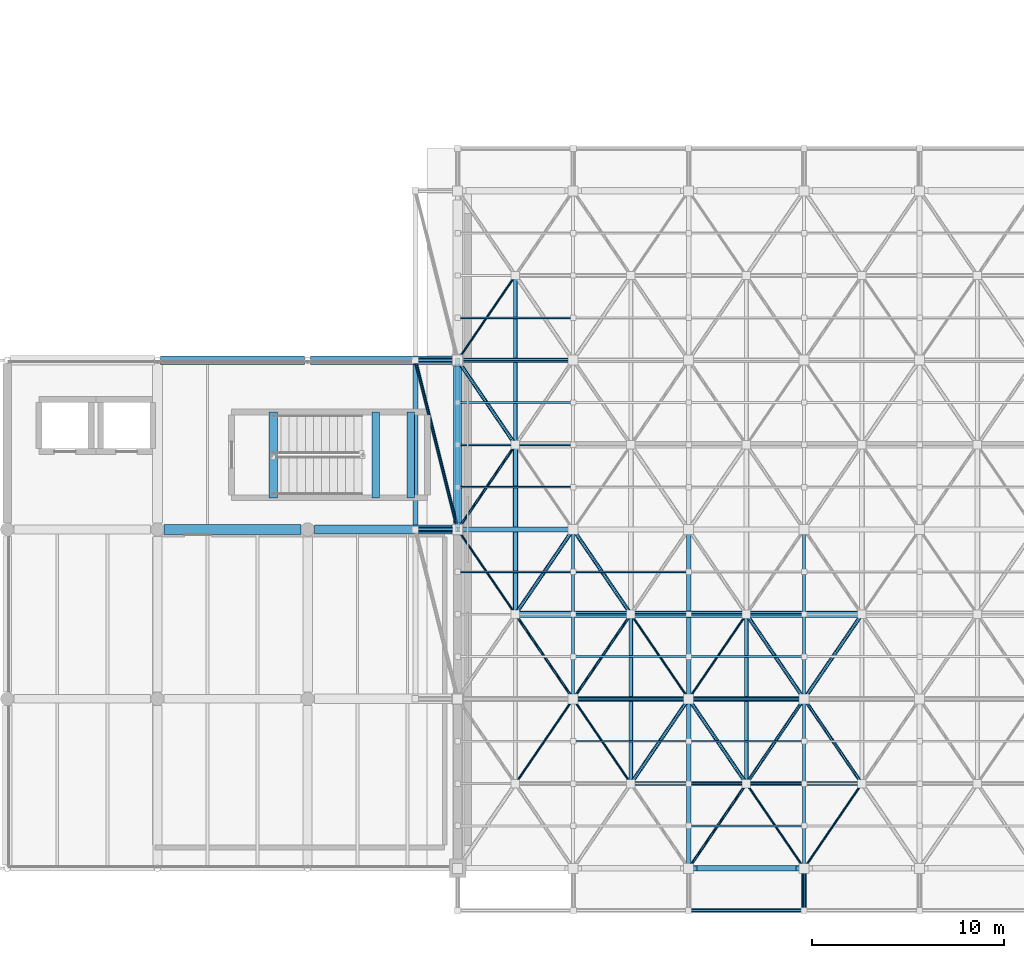
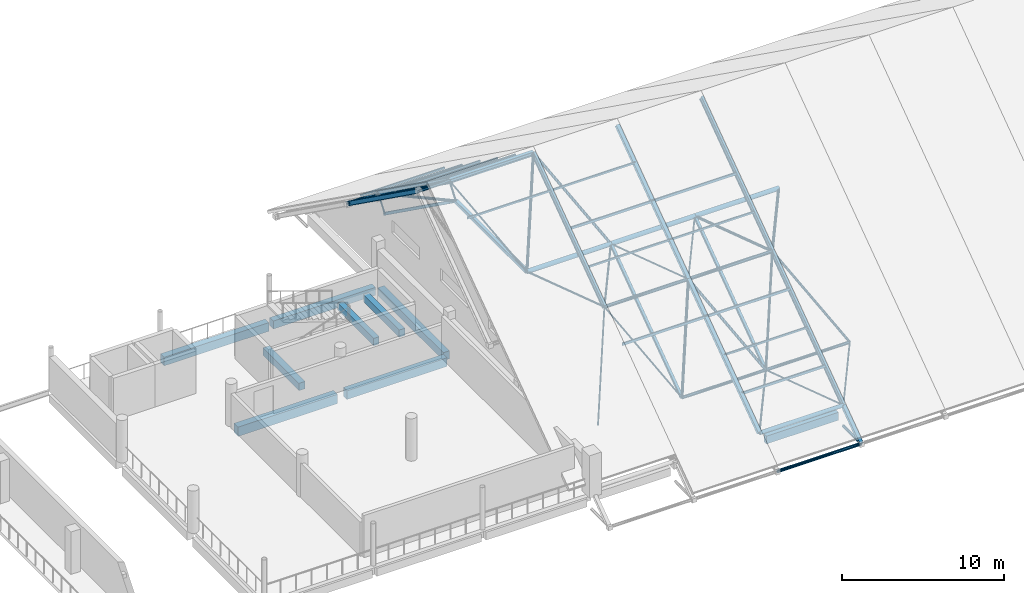
# One storey, part 19 of 55: 62 members, 9 beams.
"""IFC4 building model written with IfcOpenShell, lengths in metres."""

from ifc_helpers import new_model, si_unit, direction, frame, origin, origin_2d, place, context, subcontext, project, spatial, rectangle, hollow_rectangle, hollow_circle, i_section, extrude, material, material_profile, profile_set, type_object, element, save


model = new_model("IFC4")

# Units and contexts
model_context = context("Model", 3, precision=1e-05, world=origin(), true_north=direction((0.0, 1.0)))
body_context = subcontext(model_context, "Body", "Model", "MODEL_VIEW")
ifc_project = project(units=[si_unit("LENGTHUNIT", "METRE"), si_unit("AREAUNIT", "SQUARE_METRE"), si_unit("VOLUMEUNIT", "CUBIC_METRE"), si_unit("PLANEANGLEUNIT", "RADIAN"), si_unit("MASSUNIT", "GRAM", prefix="KILO")], contexts=[model_context])

# Site, building, storey
site_placement = place(None, origin())
site = spatial("IfcSite", under=ifc_project, at=site_placement, CompositionType="ELEMENT")
building_placement = place(site_placement, origin())
building = spatial("IfcBuilding", under=site, at=building_placement, Name="Varnakota Cinema and Media Centre", CompositionType="ELEMENT")
storey_placement = place(building_placement, frame((0.0, 0.0, 15.60009765625)))
storey = spatial("IfcBuildingStorey", under=building, at=storey_placement, Name="L04", CompositionType="ELEMENT", Elevation=15.60009765625)

# Beams
ifc_material_1 = material(Name="Concrete M35", Category="concrete")
ifc_material_profile_1 = material_profile(ifc_material_1, rectangle(XDim=0.39990234375, YDim=0.550048828125, at=origin_2d()), Name="RCB 400x550")
ifc_profile_set_1 = profile_set([ifc_material_profile_1], Name="Concrete M35")
beam_type_1 = type_object("IfcBeamType", Name="BM-RC-400x550", PredefinedType="BEAM", material=ifc_profile_set_1)
for number, where, z_axis, x_axis, name in (
    (1, (70.7373046875, 19.25, 1.25), (0.0, 1.0, 0.0), (-1.0, 0.0, 0.0), "L04 ST-04 landing support beam 1"),
    (2, (72.562744140625, 19.25, 1.25), (0.0, 1.0, 0.0), (-1.0, 0.0, 0.0), "L04 ST-04 landing support beam 2"),
):
    element("IfcBeam", number, at=place(storey_placement, frame(where, z_axis=z_axis, x_axis=x_axis)), inside=storey, type_object=beam_type_1, Name=name, PredefinedType="BEAM", context=body_context, shape_type="SweptSolid", body=[
        extrude(rectangle(XDim=0.39990234375, YDim=0.550048828125, at=origin_2d()), origin(), (0.0, 0.0, 1.0), 4.449951171875),
    ])
ifc_material_2 = material(Name="Concrete M40", Category="concrete")
ifc_material_profile_2 = material_profile(ifc_material_2, rectangle(XDim=0.449951171875, YDim=0.550048828125, at=origin_2d()), Name="RCB 450x550")
ifc_profile_set_2 = profile_set([ifc_material_profile_2], Name="Concrete M40")
beam_type_2 = type_object("IfcBeamType", Name="BM-RC-450x550", PredefinedType="BEAM", material=ifc_profile_set_2)
beam_1_placement = place(storey_placement, frame((65.419921875, 19.25, -0.275146484375), z_axis=(0.0, 1.0, 0.0), x_axis=(-1.0, 0.0, 0.0)))
element("IfcBeam", 3, at=beam_1_placement, inside=storey, type_object=beam_type_2, Name="L04 ST-04 stair arrival trimmer beam", PredefinedType="BEAM", context=body_context, shape_type="SweptSolid", body=[
    extrude(rectangle(XDim=0.449951171875, YDim=0.550048828125, at=origin_2d()), origin(), (0.0, 0.0, 1.0), 4.449951171875),
])
ifc_material_3 = material(Name="Concrete M35", Category="concrete")
ifc_material_profile_3 = material_profile(ifc_material_3, rectangle(XDim=0.449951171875, YDim=0.60009765625, at=origin_2d()), Name="RCB 450x600")
ifc_profile_set_3 = profile_set([ifc_material_profile_3], Name="Concrete M35")
beam_type_3 = type_object("IfcBeamType", Name="BM-RC-450x600", PredefinedType="BEAM", material=ifc_profile_set_3)
beam_2_placement = place(storey_placement, frame((67.362060546875, 26.39990234375, -0.550048828125), z_axis=(1.0, 0.0, 0.0), x_axis=(0.0, 1.0, 0.0)))
element("IfcBeam", 4, at=beam_2_placement, inside=storey, type_object=beam_type_3, Name="L04 girder J-K/4", PredefinedType="BEAM", context=body_context, shape_type="SweptSolid", body=[
    extrude(rectangle(XDim=0.449951171875, YDim=0.60009765625, at=origin_2d()), origin(), (0.0, 0.0, 1.0), 7.31298828125),
])
beam_3_placement = place(storey_placement, frame((75.0, 17.949951171875, -0.550048828125), z_axis=(0.0, 1.0, 0.0), x_axis=(-1.0, 0.0, 0.0)))
element("IfcBeam", 5, at=beam_3_placement, inside=storey, type_object=beam_type_3, Name="L04 girder K/3-4", PredefinedType="BEAM", context=body_context, shape_type="SweptSolid", body=[
    extrude(rectangle(XDim=0.449951171875, YDim=0.60009765625, at=origin_2d()), origin(), (0.0, 0.0, 1.0), 8.125),
])
ifc_material_4 = material(Name="Concrete M35", Category="concrete")
ifc_material_profile_4 = material_profile(ifc_material_4, rectangle(XDim=0.449951171875, YDim=0.64990234375, at=origin_2d()), Name="RCB 450x650")
ifc_profile_set_4 = profile_set([ifc_material_profile_4], Name="Concrete M35")
beam_type_4 = type_object("IfcBeamType", Name="BM-RC-450x650", PredefinedType="BEAM", material=ifc_profile_set_4)
beam_4_placement = place(storey_placement, frame((67.550048828125, 17.60009765625, -0.5751953125), z_axis=(1.0, 0.0, 0.0), x_axis=(0.0, 1.0, 0.0)))
element("IfcBeam", 6, at=beam_4_placement, inside=storey, type_object=beam_type_4, Name="L04 girder J-K/3", PredefinedType="BEAM", context=body_context, shape_type="SweptSolid", body=[
    extrude(rectangle(XDim=0.449951171875, YDim=0.64990234375, at=origin_2d()), origin(), (0.0, 0.0, 1.0), 7.14990234375),
])
beam_5_placement = place(storey_placement, frame((59.56201171875, 26.39990234375, -0.5751953125), z_axis=(1.0, 0.0, 0.0), x_axis=(0.0, 1.0, 0.0)))
element("IfcBeam", 7, at=beam_5_placement, inside=storey, type_object=beam_type_4, Name="L04 girder H-J/4", PredefinedType="BEAM", context=body_context, shape_type="SweptSolid", body=[
    extrude(rectangle(XDim=0.449951171875, YDim=0.64990234375, at=origin_2d()), origin(), (0.0, 0.0, 1.0), 7.47607421875),
])
ifc_material_5 = material(Name="Concrete M35", Category="concrete")
ifc_material_profile_5 = material_profile(ifc_material_5, rectangle(XDim=0.5, YDim=0.699951171875, at=origin_2d()), Name="RCB 500x700")
ifc_profile_set_5 = profile_set([ifc_material_profile_5], Name="Concrete M35")
beam_type_5 = type_object("IfcBeamType", Name="BM-RC-500x700", PredefinedType="BEAM", material=ifc_profile_set_5)
beam_6_placement = place(storey_placement, frame((59.75, 17.60009765625, -0.60009765625), z_axis=(1.0, 0.0, 0.0), x_axis=(0.0, 1.0, 0.0)))
element("IfcBeam", 8, at=beam_6_placement, inside=storey, type_object=beam_type_5, Name="L04 girder H-J/3", PredefinedType="BEAM", context=body_context, shape_type="SweptSolid", body=[
    extrude(rectangle(XDim=0.5, YDim=0.699951171875, at=origin_2d()), origin(), (0.0, 0.0, 1.0), 7.10009765625),
])
ifc_material_6 = material(Name="Concrete M35", Category="concrete")
ifc_material_profile_6 = material_profile(ifc_material_6, rectangle(XDim=0.300048828125, YDim=0.60009765625, at=origin_2d()), Name="RCB 300x600")
ifc_profile_set_6 = profile_set([ifc_material_profile_6], Name="Concrete M35")
beam_type_6 = type_object("IfcBeamType", Name="BM-SP-300x600", PredefinedType="SPANDREL", material=ifc_profile_set_6)
beam_7_placement = place(storey_placement, frame((87.425048828125, 0.0, -0.300048828125), z_axis=(1.0, 0.0, 0.0), x_axis=(0.0, 1.0, 0.0)))
element("IfcBeam", 9, at=beam_7_placement, inside=storey, type_object=beam_type_6, Name="L04 girder M-N/1", PredefinedType="SPANDREL", context=body_context, shape_type="SweptSolid", body=[
    extrude(rectangle(XDim=0.300048828125, YDim=0.60009765625, at=origin_2d()), origin(), (0.0, 0.0, 1.0), 5.14990234375),
])

# Members
ifc_material_7 = material(Name="Structural steel S355 (YSt 355)", Category="steel")
ifc_material_profile_7 = material_profile(ifc_material_7, hollow_circle(Radius=0.05712890625, WallThickness=0.00537109375, at=origin_2d()), Name="CHS 114.3x5.4")
ifc_profile_set_7 = profile_set([ifc_material_profile_7], Name="Structural steel S355 (YSt 355)")
member_type_1 = type_object("IfcMemberType", Name="MEM-ST-CHS114_3x5_4", PredefinedType="BRACE", material=ifc_profile_set_7)
for number, where, z_axis, x_axis, name in (
    (10, (78.0, 4.39990234375, 1.349853515625), (0.40116493033, 0.588394819283, 0.702038628078), (-0.826236071711, 0.563324022037, 0.0), "V1 space-frame diagonal 1.1.4"),
    (11, (78.0, 13.199951171875, 7.64990234375), (-0.40116493033, 0.588394819283, 0.702038628078), (-0.826236071711, -0.563324022037, 0.0), "V1 space-frame diagonal 1.2.3"),
    (12, (78.0, 30.800048828125, 1.349853515625), (-0.40116493033, -0.588394819283, 0.702038628078), (0.826236071711, -0.563324022037, 0.0), "V1 space-frame diagonal 1.4.1"),
    (13, (84.0, 4.39990234375, 1.349853515625), (-0.40116493033, 0.588394819283, 0.702038628078), (-0.826236071711, -0.563324022037, 0.0), "V1 space-frame diagonal 2.1.3"),
):
    element("IfcMember", number, at=place(storey_placement, frame(where, z_axis=z_axis, x_axis=x_axis)), inside=storey, type_object=member_type_1, Name=name, PredefinedType="BRACE", context=body_context, shape_type="SweptSolid", body=[
        extrude(hollow_circle(Radius=0.05712890625, WallThickness=0.00537109375, at=origin_2d()), origin(), (0.0, 0.0, 1.0), 7.478271484375),
    ])
for number, where, z_axis, x_axis, name in (
    (14, (84.0, 13.199951171875, 7.64990234375), (0.552703271274, -0.810613472892, -0.193455140767), (0.826221523208, 0.563345359959, 0.0), "V1 space-frame diagonal 2.2.2"),
    (15, (90.0, 4.39990234375, 1.349853515625), (0.552703271274, -0.810613472892, -0.193455140767), (0.826221523208, 0.563345359959, 0.0), "V1 space-frame diagonal 3.1.2"),
    (16, (90.0, 13.199951171875, 7.64990234375), (-0.552703271274, -0.810613472892, -0.193455140767), (0.826221523208, -0.563345359959, 0.0), "V1 space-frame diagonal 3.2.1"),
    (17, (96.0, 4.39990234375, 1.349853515625), (-0.552703271274, -0.810613472892, -0.193455140767), (0.826221523208, -0.563345359959, 0.0), "V1 space-frame diagonal 4.1.1"),
):
    element("IfcMember", number, at=place(storey_placement, frame(where, z_axis=z_axis, x_axis=x_axis)), inside=storey, type_object=member_type_1, Name=name, PredefinedType="BRACE", context=body_context, shape_type="SweptSolid", body=[
        extrude(hollow_circle(Radius=0.05712890625, WallThickness=0.00537109375, at=origin_2d()), origin(), (0.0, 0.0, 1.0), 5.427978515625),
    ])
ifc_material_8 = material(Name="Structural steel S355 (YSt 355)", Category="steel")
ifc_material_profile_8 = material_profile(ifc_material_8, hollow_circle(Radius=0.06982421875, WallThickness=0.006103515625, at=origin_2d()), Name="CHS 139.7x6.0")
ifc_profile_set_8 = profile_set([ifc_material_profile_8], Name="Structural steel S355 (YSt 355)")
member_type_2 = type_object("IfcMemberType", Name="MEM-ST-CHS139_7x6_0", PredefinedType="CHORD", material=ifc_profile_set_8)
member_1_placement = place(storey_placement, frame((78.0, 13.199951171875, 7.64990234375), z_axis=(0.552703271274, -0.810613472892, -0.193455140767), x_axis=(0.826221523208, 0.563345359959, 0.0)))
element("IfcMember", 18, at=member_1_placement, inside=storey, type_object=member_type_2, Name="V1 space-frame diagonal 1.2.2", PredefinedType="CHORD", context=body_context, shape_type="SweptSolid", body=[
    extrude(hollow_circle(Radius=0.06982421875, WallThickness=0.006103515625, at=origin_2d()), origin(), (0.0, 0.0, 1.0), 5.427978515625),
])
member_2_placement = place(storey_placement, frame((78.0, 22.0, 7.64990234375), z_axis=(-0.40117263642, -0.58837347441, 0.702052113734), x_axis=(0.826221523208, -0.563345359959, 0.0)))
element("IfcMember", 19, at=member_2_placement, inside=storey, type_object=member_type_2, Name="V1 space-frame diagonal 1.3.1", PredefinedType="CHORD", context=body_context, shape_type="SweptSolid", body=[
    extrude(hollow_circle(Radius=0.06982421875, WallThickness=0.006103515625, at=origin_2d()), origin(), (0.0, 0.0, 1.0), 7.47802734375),
])
for number, where, z_axis, x_axis, name in (
    (20, (84.0, 13.199951171875, 7.64990234375), (-0.552703271274, -0.810613472892, -0.193455140767), (0.826221523208, -0.563345359959, 0.0), "V1 space-frame diagonal 2.2.1"),
    (21, (90.0, 4.39990234375, 1.349853515625), (-0.552703271274, -0.810613472892, -0.193455140767), (0.826221523208, -0.563345359959, 0.0), "V1 space-frame diagonal 3.1.1"),
):
    element("IfcMember", number, at=place(storey_placement, frame(where, z_axis=z_axis, x_axis=x_axis)), inside=storey, type_object=member_type_2, Name=name, PredefinedType="CHORD", context=body_context, shape_type="SweptSolid", body=[
        extrude(hollow_circle(Radius=0.06982421875, WallThickness=0.006103515625, at=origin_2d()), origin(), (0.0, 0.0, 1.0), 5.427978515625),
    ])
ifc_material_9 = material(Name="Structural steel S355 (YSt 355)", Category="steel")
ifc_material_profile_9 = material_profile(ifc_material_9, hollow_circle(Radius=0.084228515625, WallThickness=0.00634765625, at=origin_2d()), Name="CHS 168.3x6.3")
ifc_profile_set_9 = profile_set([ifc_material_profile_9], Name="Structural steel S355 (YSt 355)")
member_type_3 = type_object("IfcMemberType", Name="MEM-ST-CHS168_3x6_3", PredefinedType="BRACE", material=ifc_profile_set_9)
for number, where, z_axis, x_axis, name in (
    (22, (90.0, 4.39990234375, 1.349853515625), (0.40116493033, 0.588394819283, 0.702038628078), (-0.826236071711, 0.563324022037, 0.0), "V1 space-frame diagonal 3.1.4"),
    (23, (96.0, 4.39990234375, 1.349853515625), (-0.40116493033, 0.588394819283, 0.702038628078), (-0.826236071711, -0.563324022037, 0.0), "V1 space-frame diagonal 4.1.3"),
):
    element("IfcMember", number, at=place(storey_placement, frame(where, z_axis=z_axis, x_axis=x_axis)), inside=storey, type_object=member_type_3, Name=name, PredefinedType="BRACE", context=body_context, shape_type="SweptSolid", body=[
        extrude(hollow_circle(Radius=0.084228515625, WallThickness=0.00634765625, at=origin_2d()), origin(), (0.0, 0.0, 1.0), 7.478271484375),
    ])
member_3_placement = place(storey_placement, frame((75.0, 17.60009765625, 12.89990234375), z_axis=(-0.199201193835, 0.79680477534, -0.5704568646), x_axis=(-0.970142500145, -0.242535625036, 0.0)))
element("IfcMember", 24, at=member_3_placement, inside=storey, type_object=member_type_3, Name="V1 W gable space-frame diagonal 3", PredefinedType="BRACE", context=body_context, shape_type="SweptSolid", body=[
    extrude(hollow_circle(Radius=0.084228515625, WallThickness=0.00634765625, at=origin_2d()), origin(), (0.0, 0.0, 1.0), 11.0439453125),
])
ifc_material_10 = material(Name="Structural steel S355 (YSt 355)", Category="steel")
ifc_material_profile_10 = material_profile(ifc_material_10, hollow_circle(Radius=0.096923828125, WallThickness=0.00634765625, at=origin_2d()), Name="CHS 193.7x6.3")
ifc_profile_set_10 = profile_set([ifc_material_profile_10], Name="Structural steel S355 (YSt 355)")
member_type_4 = type_object("IfcMemberType", Name="MEM-ST-CHS193_7x6_3", PredefinedType="CHORD", material=ifc_profile_set_10)
member_4_placement = place(storey_placement, frame((78.0, 13.199951171875, 7.64990234375), z_axis=(0.40116493033, 0.588394819283, 0.702038628078), x_axis=(-0.826236071711, 0.563324022037, 0.0)))
element("IfcMember", 25, at=member_4_placement, inside=storey, type_object=member_type_4, Name="V1 space-frame diagonal 1.2.4", PredefinedType="CHORD", context=body_context, shape_type="SweptSolid", body=[
    extrude(hollow_circle(Radius=0.096923828125, WallThickness=0.00634765625, at=origin_2d()), origin(), (0.0, 0.0, 1.0), 7.478271484375),
])
member_5_placement = place(storey_placement, frame((78.0, 22.0, 7.64990234375), z_axis=(-0.552703271274, 0.810613472892, -0.193455140767), x_axis=(-0.826221523208, -0.563345359959, 0.0)))
element("IfcMember", 26, at=member_5_placement, inside=storey, type_object=member_type_4, Name="V1 space-frame diagonal 1.3.3", PredefinedType="CHORD", context=body_context, shape_type="SweptSolid", body=[
    extrude(hollow_circle(Radius=0.096923828125, WallThickness=0.00634765625, at=origin_2d()), origin(), (0.0, 0.0, 1.0), 5.427978515625),
])
for number, where, z_axis, x_axis, name in (
    (27, (84.0, 4.39990234375, 1.349853515625), (0.40116493033, 0.588394819283, 0.702038628078), (-0.826236071711, 0.563324022037, 0.0), "V1 space-frame diagonal 2.1.4"),
    (28, (84.0, 13.199951171875, 7.64990234375), (-0.40116493033, 0.588394819283, 0.702038628078), (-0.826236071711, -0.563324022037, 0.0), "V1 space-frame diagonal 2.2.3"),
    (29, (90.0, 4.39990234375, 1.349853515625), (-0.40116493033, 0.588394819283, 0.702038628078), (-0.826236071711, -0.563324022037, 0.0), "V1 space-frame diagonal 3.1.3"),
):
    element("IfcMember", number, at=place(storey_placement, frame(where, z_axis=z_axis, x_axis=x_axis)), inside=storey, type_object=member_type_4, Name=name, PredefinedType="CHORD", context=body_context, shape_type="SweptSolid", body=[
        extrude(hollow_circle(Radius=0.096923828125, WallThickness=0.00634765625, at=origin_2d()), origin(), (0.0, 0.0, 1.0), 7.478271484375),
    ])
for number, where, z_axis, x_axis, name in (
    (30, (90.0, 13.199951171875, 7.64990234375), (0.552703271274, -0.810613472892, -0.193455140767), (0.826221523208, 0.563345359959, 0.0), "V1 space-frame diagonal 3.2.2"),
    (31, (96.0, 13.199951171875, 7.64990234375), (-0.552703271274, -0.810613472892, -0.193455140767), (0.826221523208, -0.563345359959, 0.0), "V1 space-frame diagonal 4.2.1"),
):
    element("IfcMember", number, at=place(storey_placement, frame(where, z_axis=z_axis, x_axis=x_axis)), inside=storey, type_object=member_type_4, Name=name, PredefinedType="CHORD", context=body_context, shape_type="SweptSolid", body=[
        extrude(hollow_circle(Radius=0.096923828125, WallThickness=0.00634765625, at=origin_2d()), origin(), (0.0, 0.0, 1.0), 5.427978515625),
    ])
member_6_placement = place(storey_placement, frame((93.0, 0.0, -1.25), z_axis=(0.0, -0.999934678535, -0.01142972721), x_axis=(1.0, 0.0, 0.0)))
element("IfcMember", 32, at=member_6_placement, inside=storey, type_object=member_type_4, Name="V1 space-frame S eave raking strut 4", PredefinedType="CHORD", context=body_context, shape_type="SweptSolid", body=[
    extrude(hollow_circle(Radius=0.096923828125, WallThickness=0.00634765625, at=origin_2d()), origin(), (0.0, 0.0, 1.0), 2.2001953125),
])
ifc_material_11 = material(Name="Structural steel S355 (YSt 355)", Category="steel")
ifc_material_profile_11 = material_profile(ifc_material_11, hollow_circle(Radius=0.109619140625, WallThickness=0.008056640625, at=origin_2d()), Name="CHS 219.1x8.0")
ifc_profile_set_11 = profile_set([ifc_material_profile_11], Name="Structural steel S355 (YSt 355)")
member_type_5 = type_object("IfcMemberType", Name="MEM-ST-CHS219_1x8_0", PredefinedType="BRACE", material=ifc_profile_set_11)
for number, where, z_axis, x_axis, name in (
    (33, (84.0, 4.39990234375, 1.349853515625), (1.0, 0.0, 0.0), (0.0, 1.0, 0.0), "V1 bottom longitudinal chord 2.1"),
    (34, (90.0, 4.39990234375, 1.349853515625), (1.0, 0.0, 0.0), (0.0, 1.0, 0.0), "V1 bottom longitudinal chord 3.1"),
    (35, (87.0, -2.199951171875, -1.275146484375), (1.0, 0.0, 0.0), (0.0, 1.0, 0.0), "V1 S eave fascia chord 3"),
):
    element("IfcMember", number, at=place(storey_placement, frame(where, z_axis=z_axis, x_axis=x_axis)), inside=storey, type_object=member_type_5, Name=name, PredefinedType="BRACE", context=body_context, shape_type="SweptSolid", body=[
        extrude(hollow_circle(Radius=0.109619140625, WallThickness=0.008056640625, at=origin_2d()), origin(), (0.0, 0.0, 1.0), 6.0),
    ])
ifc_material_12 = material(Name="Structural steel S355 (YSt 355)", Category="steel")
ifc_material_profile_12 = material_profile(ifc_material_12, hollow_circle(Radius=0.122314453125, WallThickness=0.008056640625, at=origin_2d()), Name="CHS 244.5x8.0")
ifc_profile_set_12 = profile_set([ifc_material_profile_12], Name="Structural steel S355 (YSt 355)")
member_type_6 = type_object("IfcMemberType", Name="MEM-ST-CHS244_5x8_0", PredefinedType="CHORD", material=ifc_profile_set_12)
for number, where, z_axis, x_axis, name in (
    (36, (75.0, 26.39990234375, 6.599853515625), (1.0, 0.0, 0.0), (0.0, 1.0, 0.0), "V1 top longitudinal chord 1.4"),
    (37, (81.0, 8.800048828125, 6.599853515625), (1.0, 0.0, 0.0), (0.0, 1.0, 0.0), "V1 top longitudinal chord 2.2"),
    (38, (87.0, 8.800048828125, 6.599853515625), (1.0, 0.0, 0.0), (0.0, 1.0, 0.0), "V1 top longitudinal chord 3.2"),
):
    element("IfcMember", number, at=place(storey_placement, frame(where, z_axis=z_axis, x_axis=x_axis)), inside=storey, type_object=member_type_6, Name=name, PredefinedType="CHORD", context=body_context, shape_type="SweptSolid", body=[
        extrude(hollow_circle(Radius=0.122314453125, WallThickness=0.008056640625, at=origin_2d()), origin(), (0.0, 0.0, 1.0), 6.0),
    ])
for number, where, z_axis, x_axis, name in (
    (39, (75.0, 17.60009765625, 12.89990234375), (-1.0, 0.0, 0.0), (0.0, -1.0, 0.0), "V1 W gable space-frame outrigger 3"),
    (40, (75.0, 26.39990234375, 6.599853515625), (-1.0, 0.0, 0.0), (0.0, -1.0, 0.0), "V1 W gable space-frame outrigger 4"),
):
    element("IfcMember", number, at=place(storey_placement, frame(where, z_axis=z_axis, x_axis=x_axis)), inside=storey, type_object=member_type_6, Name=name, PredefinedType="CHORD", context=body_context, shape_type="SweptSolid", body=[
        extrude(hollow_circle(Radius=0.122314453125, WallThickness=0.008056640625, at=origin_2d()), origin(), (0.0, 0.0, 1.0), 2.199951171875),
    ])
ifc_material_13 = material(Name="Structural steel S355 (YSt 355)", Category="steel")
ifc_material_profile_13 = material_profile(ifc_material_13, hollow_circle(Radius=0.136474609375, WallThickness=0.010009765625, at=origin_2d()), Name="CHS 273.0x10.0")
ifc_profile_set_13 = profile_set([ifc_material_profile_13], Name="Structural steel S355 (YSt 355)")
member_type_7 = type_object("IfcMemberType", Name="MEM-ST-CHS273_0x10_0", PredefinedType="BRACE", material=ifc_profile_set_13)
member_7_placement = place(storey_placement, frame((87.0, 0.0, 0.2998046875), z_axis=(1.0, 0.0, 0.0), x_axis=(0.0, 1.0, 0.0)))
element("IfcMember", 41, at=member_7_placement, inside=storey, type_object=member_type_7, Name="V1 top longitudinal chord 3.1", PredefinedType="BRACE", context=body_context, shape_type="SweptSolid", body=[
    extrude(hollow_circle(Radius=0.136474609375, WallThickness=0.010009765625, at=origin_2d()), origin(), (0.0, 0.0, 1.0), 6.0),
])
ifc_material_14 = material(Name="Structural steel S355 (YSt 355)", Category="steel")
ifc_material_profile_14 = material_profile(ifc_material_14, hollow_circle(Radius=0.161865234375, WallThickness=0.010009765625, at=origin_2d()), Name="CHS 323.9x10.0")
ifc_profile_set_14 = profile_set([ifc_material_profile_14], Name="Structural steel S355 (YSt 355)")
member_type_8 = type_object("IfcMemberType", Name="MEM-ST-CHS323_9x10_0", PredefinedType="CHORD", material=ifc_profile_set_14)
for number, where, z_axis, x_axis, name in (
    (42, (78.0, 13.199951171875, 7.64990234375), (1.0, 0.0, 0.0), (0.0, 1.0, 0.0), "V1 bottom longitudinal chord 1.2"),
    (43, (84.0, 13.199951171875, 7.64990234375), (1.0, 0.0, 0.0), (0.0, 1.0, 0.0), "V1 bottom longitudinal chord 2.2"),
    (44, (90.0, 13.199951171875, 7.64990234375), (1.0, 0.0, 0.0), (0.0, 1.0, 0.0), "V1 bottom longitudinal chord 3.2"),
):
    element("IfcMember", number, at=place(storey_placement, frame(where, z_axis=z_axis, x_axis=x_axis)), inside=storey, type_object=member_type_8, Name=name, PredefinedType="CHORD", context=body_context, shape_type="SweptSolid", body=[
        extrude(hollow_circle(Radius=0.161865234375, WallThickness=0.010009765625, at=origin_2d()), origin(), (0.0, 0.0, 1.0), 6.0),
    ])
ifc_material_15 = material(Name="Structural steel Grade 350 (E350)", Category="steel")
ifc_material_profile_15 = material_profile(ifc_material_15, i_section(OverallWidth=0.25, OverallDepth=0.25, WebThickness=0.0087890625, FlangeThickness=0.009765625, FilletRadius=0.010009765625, at=origin_2d()), Name="ISHB 250")
ifc_profile_set_15 = profile_set([ifc_material_profile_15], Name="Structural steel Grade 350 (E350)")
member_type_9 = type_object("IfcMemberType", Name="MEM-ST-ISHB250", PredefinedType="CHORD", material=ifc_profile_set_15)
for number, where, z_axis, x_axis, name in (
    (45, (87.0, 0.0, 0.2998046875), (0.0, 0.813108079498, 0.582112747717), (-1.0, 0.0, 0.0), "V1 top transverse chord 3.1"),
    (46, (87.0, 8.800048828125, 6.599853515625), (0.0, 0.813108079498, 0.582112747717), (-1.0, 0.0, 0.0), "V1 top transverse chord 3.2"),
):
    element("IfcMember", number, at=place(storey_placement, frame(where, z_axis=z_axis, x_axis=x_axis)), inside=storey, type_object=member_type_9, Name=name, PredefinedType="CHORD", context=body_context, shape_type="SweptSolid", body=[
        extrude(i_section(OverallWidth=0.25, OverallDepth=0.25, WebThickness=0.0087890625, FlangeThickness=0.009765625, FilletRadius=0.010009765625, at=origin_2d()), origin(), (0.0, 0.0, 1.0), 10.82275390625),
    ])
member_8_placement = place(storey_placement, frame((93.0, 0.0, 0.2998046875), z_axis=(0.0, -0.81311111287, -0.582108510612), x_axis=(1.0, 0.0, 0.0)))
element("IfcMember", 47, at=member_8_placement, inside=storey, type_object=member_type_9, Name="V1 space-frame S eave overhang rafter 4", PredefinedType="CHORD", context=body_context, shape_type="SweptSolid", body=[
    extrude(i_section(OverallWidth=0.25, OverallDepth=0.25, WebThickness=0.0087890625, FlangeThickness=0.009765625, FilletRadius=0.010009765625, at=origin_2d()), origin(), (0.0, 0.0, 1.0), 2.70556640625),
])
ifc_material_16 = material(Name="Structural steel Grade 350 (E350)", Category="steel")
ifc_material_profile_16 = material_profile(ifc_material_16, i_section(OverallWidth=0.25, OverallDepth=0.300048828125, WebThickness=0.009521484375, FlangeThickness=0.010498046875, FilletRadius=0.010986328125, at=origin_2d()), Name="ISHB 300")
ifc_profile_set_16 = profile_set([ifc_material_profile_16], Name="Structural steel Grade 350 (E350)")
member_type_10 = type_object("IfcMemberType", Name="MEM-ST-ISHB300", PredefinedType="CHORD", material=ifc_profile_set_16)
member_9_placement = place(storey_placement, frame((75.0, 17.60009765625, 12.89990234375), z_axis=(1.0, 0.0, 0.0), x_axis=(0.0, 1.0, 0.0)))
element("IfcMember", 48, at=member_9_placement, inside=storey, type_object=member_type_10, Name="V1 top longitudinal chord 1.3", PredefinedType="CHORD", context=body_context, shape_type="SweptSolid", body=[
    extrude(i_section(OverallWidth=0.25, OverallDepth=0.300048828125, WebThickness=0.009521484375, FlangeThickness=0.010498046875, FilletRadius=0.010986328125, at=origin_2d()), origin(), (0.0, 0.0, 1.0), 6.0),
])
member_10_placement = place(storey_placement, frame((72.800048828125, 17.60009765625, 12.89990234375), z_axis=(0.0, 0.813100435345, -0.582123425093), x_axis=(-1.0, 0.0, 0.0)))
element("IfcMember", 49, at=member_10_placement, inside=storey, type_object=member_type_10, Name="V1 W gable barge rafter 3", PredefinedType="CHORD", context=body_context, shape_type="SweptSolid", body=[
    extrude(i_section(OverallWidth=0.25, OverallDepth=0.300048828125, WebThickness=0.009521484375, FlangeThickness=0.010498046875, FilletRadius=0.010986328125, at=origin_2d()), origin(), (0.0, 0.0, 1.0), 10.822509765625),
])
ifc_material_17 = material(Name="Structural steel Grade 350 (E350)", Category="steel")
ifc_material_profile_17 = material_profile(ifc_material_17, i_section(OverallWidth=0.25, OverallDepth=0.39990234375, WebThickness=0.010498046875, FlangeThickness=0.0126953125, FilletRadius=0.011962890625, at=origin_2d()), Name="ISHB 400")
ifc_profile_set_17 = profile_set([ifc_material_profile_17], Name="Structural steel Grade 350 (E350)")
member_type_11 = type_object("IfcMemberType", Name="MEM-ST-ISHB400", PredefinedType="CHORD", material=ifc_profile_set_17)
member_11_placement = place(storey_placement, frame((75.0, 17.60009765625, 12.89990234375), z_axis=(0.0, 0.813100435345, -0.582123425093), x_axis=(-1.0, 0.0, 0.0)))
element("IfcMember", 50, at=member_11_placement, inside=storey, type_object=member_type_11, Name="V1 top transverse chord 1.3", PredefinedType="CHORD", context=body_context, shape_type="SweptSolid", body=[
    extrude(i_section(OverallWidth=0.25, OverallDepth=0.39990234375, WebThickness=0.010498046875, FlangeThickness=0.0126953125, FilletRadius=0.011962890625, at=origin_2d()), origin(), (0.0, 0.0, 1.0), 10.822509765625),
])
ifc_material_18 = material(Name="Structural steel Grade 350 (E350)", Category="steel")
ifc_material_profile_18 = material_profile(ifc_material_18, i_section(OverallWidth=0.14990234375, OverallDepth=0.449951171875, WebThickness=0.009521484375, FlangeThickness=0.017333984375, FilletRadius=0.014892578125, at=origin_2d()), Name="ISMB 450")
ifc_profile_set_18 = profile_set([ifc_material_profile_18], Name="Structural steel Grade 350 (E350)")
member_type_12 = type_object("IfcMemberType", Name="MEM-ST-ISMB450", PredefinedType="RAFTER", material=ifc_profile_set_18)
for number, where, z_axis, x_axis, name in (
    (51, (81.0, 8.800048828125, 6.599853515625), (0.0, 0.813108079498, 0.582112747717), (-1.0, 0.0, 0.0), "V1 top transverse chord 2.2"),
    (52, (93.0, 0.0, 0.2998046875), (0.0, 0.813108079498, 0.582112747717), (-1.0, 0.0, 0.0), "V1 top transverse chord 4.1"),
    (53, (93.0, 8.800048828125, 6.599853515625), (0.0, 0.813108079498, 0.582112747717), (-1.0, 0.0, 0.0), "V1 top transverse chord 4.2"),
):
    element("IfcMember", number, at=place(storey_placement, frame(where, z_axis=z_axis, x_axis=x_axis)), inside=storey, type_object=member_type_12, Name=name, PredefinedType="RAFTER", context=body_context, shape_type="SweptSolid", body=[
        extrude(i_section(OverallWidth=0.14990234375, OverallDepth=0.449951171875, WebThickness=0.009521484375, FlangeThickness=0.017333984375, FilletRadius=0.014892578125, at=origin_2d()), origin(), (0.0, 0.0, 1.0), 10.82275390625),
    ])
ifc_material_19 = material(Name="Structural steel S355 (YSt 355)", Category="steel")
ifc_material_profile_19 = material_profile(ifc_material_19, hollow_rectangle(XDim=0.10009765625, YDim=0.14990234375, WallThickness=0.006103515625, InnerFilletRadius=0.006103515625, OuterFilletRadius=0.011962890625, at=origin_2d()), Name="RHS 150x100x6")
ifc_profile_set_19 = profile_set([ifc_material_profile_19], Name="Structural steel S355 (YSt 355)")
member_type_13 = type_object("IfcMemberType", Name="MEM-ST-RHS150x100x6", PredefinedType="PURLIN", material=ifc_profile_set_19)
for number, where, z_axis, x_axis, name in (
    (54, (87.0, 4.39990234375, 3.52978515625), (1.0, 0.0, 0.0), (0.0, 1.0, 0.0), "V1 roof purlin 2.3"),
    (55, (81.0, 11.0, 8.2548828125), (1.0, 0.0, 0.0), (0.0, 1.0, 0.0), "V1 roof purlin 4.2"),
    (56, (87.0, 11.0, 8.2548828125), (1.0, 0.0, 0.0), (0.0, 1.0, 0.0), "V1 roof purlin 4.3"),
    (57, (75.0, 15.39990234375, 11.40478515625), (1.0, 0.0, 0.0), (0.0, 1.0, 0.0), "V1 roof purlin 6.1"),
    (58, (81.0, 15.39990234375, 11.40478515625), (1.0, 0.0, 0.0), (0.0, 1.0, 0.0), "V1 roof purlin 6.2"),
    (59, (75.0, 22.0, 9.829833984375), (1.0, 0.0, 0.0), (0.0, 1.0, 0.0), "V1 roof purlin 8.1"),
    (60, (75.0, 28.60009765625, 5.10498046875), (1.0, 0.0, 0.0), (0.0, 1.0, 0.0), "V1 roof purlin 10.1"),
):
    element("IfcMember", number, at=place(storey_placement, frame(where, z_axis=z_axis, x_axis=x_axis)), inside=storey, type_object=member_type_13, Name=name, PredefinedType="PURLIN", context=body_context, shape_type="SweptSolid", body=[
        extrude(hollow_rectangle(XDim=0.10009765625, YDim=0.14990234375, WallThickness=0.006103515625, InnerFilletRadius=0.006103515625, OuterFilletRadius=0.011962890625, at=origin_2d()), origin(), (0.0, 0.0, 1.0), 6.0),
    ])
ifc_material_20 = material(Name="Structural steel S355 (YSt 355)", Category="steel")
ifc_material_profile_20 = material_profile(ifc_material_20, hollow_rectangle(XDim=0.10009765625, YDim=0.199951171875, WallThickness=0.006103515625, InnerFilletRadius=0.006103515625, OuterFilletRadius=0.011962890625, at=origin_2d()), Name="RHS 200x100x6")
ifc_profile_set_20 = profile_set([ifc_material_profile_20], Name="Structural steel S355 (YSt 355)")
member_type_14 = type_object("IfcMemberType", Name="MEM-ST-RHS200x100x6", PredefinedType="PURLIN", material=ifc_profile_set_20)
for number, where, z_axis, x_axis, name in (
    (61, (87.0, 2.199951171875, 1.954833984375), (1.0, 0.0, 0.0), (0.0, 1.0, 0.0), "V1 roof purlin 1.3"),
    (62, (81.0, 6.60009765625, 5.10498046875), (1.0, 0.0, 0.0), (0.0, 1.0, 0.0), "V1 roof purlin 3.2"),
    (63, (87.0, 6.60009765625, 5.10498046875), (1.0, 0.0, 0.0), (0.0, 1.0, 0.0), "V1 roof purlin 3.3"),
    (64, (81.0, 13.199951171875, 9.829833984375), (1.0, 0.0, 0.0), (0.0, 1.0, 0.0), "V1 roof purlin 5.2"),
    (65, (87.0, 13.199951171875, 9.829833984375), (1.0, 0.0, 0.0), (0.0, 1.0, 0.0), "V1 roof purlin 5.3"),
    (66, (75.0, 19.800048828125, 11.40478515625), (1.0, 0.0, 0.0), (0.0, 1.0, 0.0), "V1 roof purlin 7.1"),
    (67, (75.0, 24.199951171875, 8.2548828125), (1.0, 0.0, 0.0), (0.0, 1.0, 0.0), "V1 roof purlin 9.1"),
):
    element("IfcMember", number, at=place(storey_placement, frame(where, z_axis=z_axis, x_axis=x_axis)), inside=storey, type_object=member_type_14, Name=name, PredefinedType="PURLIN", context=body_context, shape_type="SweptSolid", body=[
        extrude(hollow_rectangle(XDim=0.10009765625, YDim=0.199951171875, WallThickness=0.006103515625, InnerFilletRadius=0.006103515625, OuterFilletRadius=0.011962890625, at=origin_2d()), origin(), (0.0, 0.0, 1.0), 6.0),
    ])
ifc_material_21 = material(Name="Structural steel S355 (YSt 355)", Category="steel")
ifc_material_profile_21 = material_profile(ifc_material_21, hollow_rectangle(XDim=0.199951171875, YDim=0.199951171875, WallThickness=0.010009765625, InnerFilletRadius=0.010009765625, OuterFilletRadius=0.02001953125, at=origin_2d()), Name="SHS 200x200x10")
ifc_profile_set_21 = profile_set([ifc_material_profile_21], Name="Structural steel S355 (YSt 355)")
member_type_15 = type_object("IfcMemberType", Name="MEM-ST-SHS200x200x10", PredefinedType="STRUT", material=ifc_profile_set_21)
for number, where, z_axis, x_axis, name in (
    (68, (78.0, 22.0, 7.64990234375), (0.0, 0.813108079498, -0.582112747717), (-1.0, 0.0, 0.0), "V1 bottom transverse chord 1.3"),
    (69, (84.0, 4.39990234375, 1.349853515625), (0.0, 0.813108079498, 0.582112747717), (-1.0, 0.0, 0.0), "V1 bottom transverse chord 2.1"),
    (70, (90.0, 4.39990234375, 1.349853515625), (0.0, 0.813108079498, 0.582112747717), (-1.0, 0.0, 0.0), "V1 bottom transverse chord 3.1"),
):
    element("IfcMember", number, at=place(storey_placement, frame(where, z_axis=z_axis, x_axis=x_axis)), inside=storey, type_object=member_type_15, Name=name, PredefinedType="STRUT", context=body_context, shape_type="SweptSolid", body=[
        extrude(hollow_rectangle(XDim=0.199951171875, YDim=0.199951171875, WallThickness=0.010009765625, InnerFilletRadius=0.010009765625, OuterFilletRadius=0.02001953125, at=origin_2d()), origin(), (0.0, 0.0, 1.0), 10.82275390625),
    ])
ifc_material_22 = material(Name="Structural steel S355 (YSt 355)", Category="steel")
ifc_material_profile_22 = material_profile(ifc_material_22, hollow_rectangle(XDim=0.25, YDim=0.25, WallThickness=0.010009765625, InnerFilletRadius=0.010009765625, OuterFilletRadius=0.02001953125, at=origin_2d()), Name="SHS 250x250x10")
ifc_profile_set_22 = profile_set([ifc_material_profile_22], Name="Structural steel S355 (YSt 355)")
member_type_16 = type_object("IfcMemberType", Name="MEM-ST-SHS250x250x10", PredefinedType="STRUT", material=ifc_profile_set_22)
member_12_placement = place(storey_placement, frame((78.0, 13.199951171875, 7.64990234375), z_axis=(0.0, 1.0, 0.0), x_axis=(-1.0, 0.0, 0.0)))
element("IfcMember", 71, at=member_12_placement, inside=storey, type_object=member_type_16, Name="V1 bottom transverse chord 1.2", PredefinedType="STRUT", context=body_context, shape_type="SweptSolid", body=[
    extrude(hollow_rectangle(XDim=0.25, YDim=0.25, WallThickness=0.010009765625, InnerFilletRadius=0.010009765625, OuterFilletRadius=0.02001953125, at=origin_2d()), origin(), (0.0, 0.0, 1.0), 8.800048828125),
])

save(model, "model.ifc")
